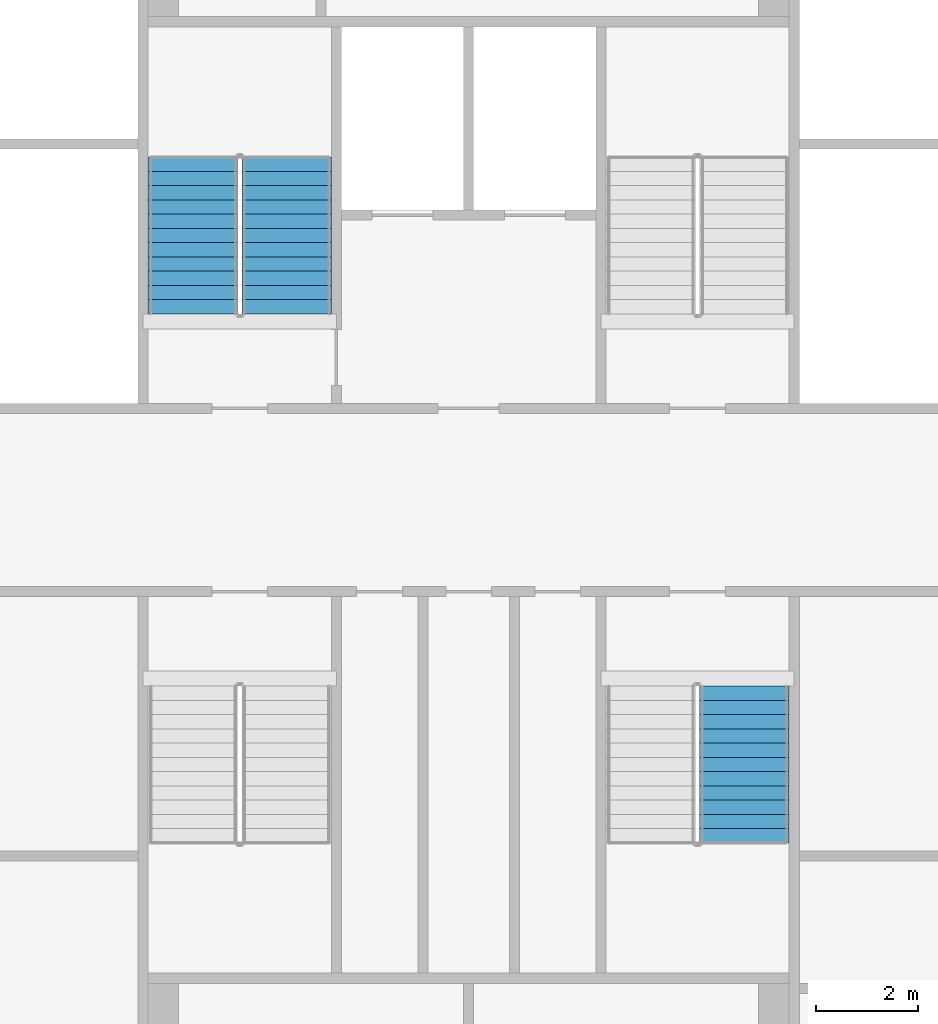
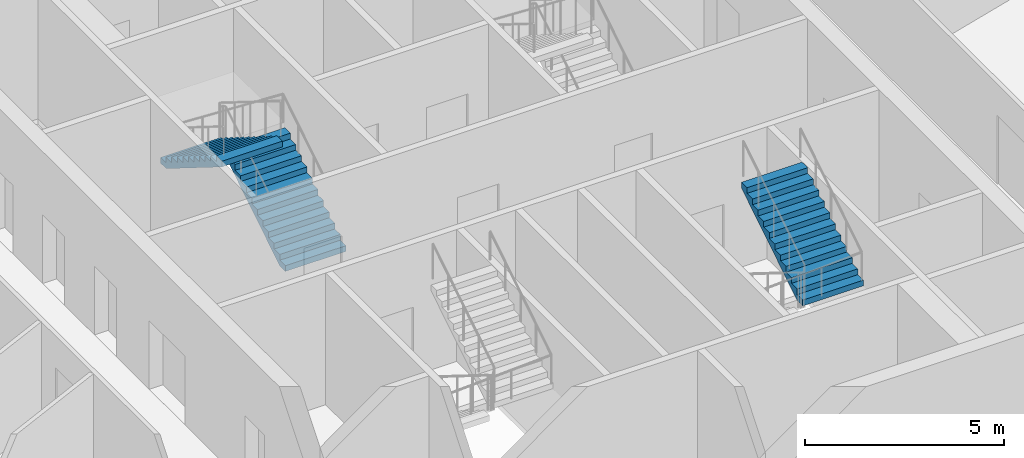
# One storey, part 22 of 28: 3 stair flights, 2 elements without a shape of their own.
"""IFC4 building model written with IfcOpenShell, lengths in metres."""

from ifc_helpers import new_model, si_unit, direction, frame, origin, place, context, subcontext, project, spatial, faceted_brep, material, type_object, element, aggregate, save


model = new_model("IFC4")

# Units and contexts
model_context = context("Model", 3, precision=1e-05, world=origin(), true_north=direction((0.0, 1.0)))
body_context = subcontext(model_context, "Body", "Model", "MODEL_VIEW")
ifc_project = project(units=[si_unit("LENGTHUNIT", "METRE"), si_unit("AREAUNIT", "SQUARE_METRE"), si_unit("VOLUMEUNIT", "CUBIC_METRE"), si_unit("PLANEANGLEUNIT", "RADIAN"), si_unit("MASSUNIT", "GRAM", prefix="KILO")], contexts=[model_context])

# Site, building, storey
site_placement = place(None, origin())
site = spatial("IfcSite", under=ifc_project, at=site_placement, CompositionType="ELEMENT")
building_placement = place(site_placement, origin())
building = spatial("IfcBuilding", under=site, at=building_placement, Name="Tarsis Ring Headquarters", CompositionType="ELEMENT")
storey_placement = place(building_placement, frame((0.0, 0.0, 381.800048828125)))
storey = spatial("IfcBuildingStorey", under=building, at=storey_placement, Name="L90", CompositionType="ELEMENT", Elevation=381.800048828125)

# Stair, stair flights
ifc_material_1 = material(Name="Core stair 1760")
stair_type = type_object("IfcStairType", Name="Core stair 1760", PredefinedType="HALF_TURN_STAIR", material=ifc_material_1)
stair_1_placement = place(storey_placement, origin())
stair_1 = element("IfcStair", 1, at=stair_1_placement, inside=storey, type_object=stair_type, Name="L90 Firefighting stair", PredefinedType="HALF_TURN_STAIR")
ifc_material_2 = material(Name="Concrete C40/50", Category="concrete")
stair_flight_type = type_object("IfcStairFlightType", Name="Core stair flight 1760", PredefinedType="STRAIGHT", material=ifc_material_2)
stair_flight_1_placement = place(storey_placement, frame((-3.580078125, 3.659912109375, 0.0), z_axis=(0.0, 0.0, 1.0), x_axis=(0.0, 1.0, 0.0)))
stair_flight_1 = element("IfcStairFlight", 2, at=stair_flight_1_placement, type_object=stair_flight_type, Name="Stair ST1 flight 1", NumberOfRisers=12, NumberOfTreads=11, PredefinedType="STRAIGHT", RiserHeight=0.175, TreadLength=0.28, context=body_context, shape_type="Brep", body=[
    faceted_brep([(0.0, 0.8798828125, 0.0), (0.0, 0.8798828125, 0.175048828125), (0.280029296875, 0.8798828125, 0.175048828125), (0.280029296875, 0.8798828125, 0.35009765625), (0.56005859375, 0.8798828125, 0.35009765625), (0.56005859375, 0.8798828125, 0.52490234375), (0.840087890625, 0.8798828125, 0.52490234375), (0.840087890625, 0.8798828125, 0.699951171875), (1.1201171875, 0.8798828125, 0.699951171875), (1.1201171875, 0.8798828125, 0.875), (1.39990234375, 0.8798828125, 0.875), (1.39990234375, 0.8798828125, 1.050048828125), (1.679931640625, 0.8798828125, 1.050048828125), (1.679931640625, 0.8798828125, 1.22509765625), (1.9599609375, 0.8798828125, 1.22509765625), (1.9599609375, 0.8798828125, 1.39990234375), (2.239990234375, 0.8798828125, 1.39990234375), (2.239990234375, 0.8798828125, 1.574951171875), (2.52001953125, 0.8798828125, 1.574951171875), (2.52001953125, 0.8798828125, 1.75), (2.800048828125, 0.8798828125, 1.75), (2.800048828125, 0.8798828125, 1.925048828125), (3.080078125, 0.8798828125, 1.925048828125), (3.080078125, 0.8798828125, 1.748291015625), (0.28271484375, 0.8798828125, 0.0), (0.28271484375, -0.8798828125, 0.0), (3.080078125, -0.8798828125, 1.748291015625), (3.080078125, -0.8798828125, 1.925048828125), (2.800048828125, -0.8798828125, 1.925048828125), (2.800048828125, -0.8798828125, 1.75), (2.52001953125, -0.8798828125, 1.75), (2.52001953125, -0.8798828125, 1.574951171875), (2.239990234375, -0.8798828125, 1.574951171875), (2.239990234375, -0.8798828125, 1.39990234375), (1.9599609375, -0.8798828125, 1.39990234375), (1.9599609375, -0.8798828125, 1.22509765625), (1.679931640625, -0.8798828125, 1.22509765625), (1.679931640625, -0.8798828125, 1.050048828125), (1.39990234375, -0.8798828125, 1.050048828125), (1.39990234375, -0.8798828125, 0.875), (1.1201171875, -0.8798828125, 0.875), (1.1201171875, -0.8798828125, 0.699951171875), (0.840087890625, -0.8798828125, 0.699951171875), (0.840087890625, -0.8798828125, 0.52490234375), (0.56005859375, -0.8798828125, 0.52490234375), (0.56005859375, -0.8798828125, 0.35009765625), (0.280029296875, -0.8798828125, 0.35009765625), (0.280029296875, -0.8798828125, 0.175048828125), (0.0, -0.8798828125, 0.175048828125), (0.0, -0.8798828125, 0.0), (0.0, -0.43994140625, 0.175048828125), (0.0, -0.43994140625, 0.0), (0.0, 0.0, 0.175048828125), (0.0, 0.0, 0.0), (0.0, 0.43994140625, 0.175048828125), (0.0, 0.43994140625, 0.0), (0.280029296875, -0.43994140625, 0.175048828125), (0.280029296875, 0.0, 0.175048828125), (0.280029296875, 0.43994140625, 0.175048828125), (0.280029296875, -0.43994140625, 0.35009765625), (0.280029296875, 0.0, 0.35009765625), (0.280029296875, 0.43994140625, 0.35009765625), (0.56005859375, -0.43994140625, 0.35009765625), (0.56005859375, 0.0, 0.35009765625), (0.56005859375, 0.43994140625, 0.35009765625), (0.56005859375, -0.43994140625, 0.52490234375), (0.56005859375, 0.0, 0.52490234375), (0.56005859375, 0.43994140625, 0.52490234375), (0.840087890625, -0.43994140625, 0.52490234375), (0.840087890625, 0.0, 0.52490234375), (0.840087890625, 0.43994140625, 0.52490234375), (0.840087890625, -0.43994140625, 0.699951171875), (0.840087890625, 0.0, 0.699951171875), (0.840087890625, 0.43994140625, 0.699951171875), (1.1201171875, -0.43994140625, 0.699951171875), (1.1201171875, 0.0, 0.699951171875), (1.1201171875, 0.43994140625, 0.699951171875), (1.1201171875, -0.43994140625, 0.875), (1.1201171875, 0.0, 0.875), (1.1201171875, 0.43994140625, 0.875), (1.39990234375, -0.43994140625, 0.875), (1.39990234375, 0.0, 0.875), (1.39990234375, 0.43994140625, 0.875), (1.39990234375, -0.43994140625, 1.050048828125), (1.39990234375, 0.0, 1.050048828125), (1.39990234375, 0.43994140625, 1.050048828125), (1.679931640625, -0.43994140625, 1.050048828125), (1.679931640625, 0.0, 1.050048828125), (1.679931640625, 0.43994140625, 1.050048828125), (1.679931640625, -0.43994140625, 1.22509765625), (1.679931640625, 0.0, 1.22509765625), (1.679931640625, 0.43994140625, 1.22509765625), (1.9599609375, -0.43994140625, 1.22509765625), (1.9599609375, 0.0, 1.22509765625), (1.9599609375, 0.43994140625, 1.22509765625), (1.9599609375, -0.43994140625, 1.39990234375), (1.9599609375, 0.0, 1.39990234375), (1.9599609375, 0.43994140625, 1.39990234375), (2.239990234375, -0.43994140625, 1.39990234375), (2.239990234375, 0.0, 1.39990234375), (2.239990234375, 0.43994140625, 1.39990234375), (2.239990234375, -0.43994140625, 1.574951171875), (2.239990234375, 0.0, 1.574951171875), (2.239990234375, 0.43994140625, 1.574951171875), (2.52001953125, -0.43994140625, 1.574951171875), (2.52001953125, 0.0, 1.574951171875), (2.52001953125, 0.43994140625, 1.574951171875), (2.52001953125, -0.43994140625, 1.75), (2.52001953125, 0.0, 1.75), (2.52001953125, 0.43994140625, 1.75), (2.800048828125, -0.43994140625, 1.75), (2.800048828125, 0.0, 1.75), (2.800048828125, 0.43994140625, 1.75), (2.800048828125, -0.43994140625, 1.925048828125), (2.800048828125, 0.0, 1.925048828125), (2.800048828125, 0.43994140625, 1.925048828125), (3.080078125, -0.43994140625, 1.925048828125), (3.080078125, 0.0, 1.925048828125), (3.080078125, 0.43994140625, 1.925048828125), (3.080078125, -0.43994140625, 1.748291015625), (3.080078125, 0.0, 1.748291015625), (3.080078125, 0.43994140625, 1.748291015625), (0.28271484375, -0.43994140625, 0.0), (0.28271484375, 0.0, 0.0), (0.28271484375, 0.43994140625, 0.0)], [[[0, 1, 2, 3, 4, 5, 6, 7, 8, 9, 10, 11, 12, 13, 14, 15, 16, 17, 18, 19, 20, 21, 22, 23, 24]], [[25, 26, 27, 28, 29, 30, 31, 32, 33, 34, 35, 36, 37, 38, 39, 40, 41, 42, 43, 44, 45, 46, 47, 48, 49]], [[49, 48, 50, 51]], [[51, 50, 52, 53]], [[53, 52, 54, 55]], [[55, 54, 1, 0]], [[48, 47, 56, 50]], [[50, 56, 57, 52]], [[52, 57, 58, 54]], [[54, 58, 2, 1]], [[47, 46, 59, 56]], [[56, 59, 60, 57]], [[57, 60, 61, 58]], [[58, 61, 3, 2]], [[46, 45, 62, 59]], [[59, 62, 63, 60]], [[60, 63, 64, 61]], [[61, 64, 4, 3]], [[45, 44, 65, 62]], [[62, 65, 66, 63]], [[63, 66, 67, 64]], [[64, 67, 5, 4]], [[44, 43, 68, 65]], [[65, 68, 69, 66]], [[66, 69, 70, 67]], [[67, 70, 6, 5]], [[43, 42, 71, 68]], [[68, 71, 72, 69]], [[69, 72, 73, 70]], [[70, 73, 7, 6]], [[42, 41, 74, 71]], [[71, 74, 75, 72]], [[72, 75, 76, 73]], [[73, 76, 8, 7]], [[41, 40, 77, 74]], [[74, 77, 78, 75]], [[75, 78, 79, 76]], [[76, 79, 9, 8]], [[40, 39, 80, 77]], [[77, 80, 81, 78]], [[78, 81, 82, 79]], [[79, 82, 10, 9]], [[39, 38, 83, 80]], [[80, 83, 84, 81]], [[81, 84, 85, 82]], [[82, 85, 11, 10]], [[38, 37, 86, 83]], [[83, 86, 87, 84]], [[84, 87, 88, 85]], [[85, 88, 12, 11]], [[37, 36, 89, 86]], [[86, 89, 90, 87]], [[87, 90, 91, 88]], [[88, 91, 13, 12]], [[36, 35, 92, 89]], [[89, 92, 93, 90]], [[90, 93, 94, 91]], [[91, 94, 14, 13]], [[35, 34, 95, 92]], [[92, 95, 96, 93]], [[93, 96, 97, 94]], [[94, 97, 15, 14]], [[34, 33, 98, 95]], [[95, 98, 99, 96]], [[96, 99, 100, 97]], [[97, 100, 16, 15]], [[33, 32, 101, 98]], [[98, 101, 102, 99]], [[99, 102, 103, 100]], [[100, 103, 17, 16]], [[32, 31, 104, 101]], [[101, 104, 105, 102]], [[102, 105, 106, 103]], [[103, 106, 18, 17]], [[31, 30, 107, 104]], [[104, 107, 108, 105]], [[105, 108, 109, 106]], [[106, 109, 19, 18]], [[30, 29, 110, 107]], [[107, 110, 111, 108]], [[108, 111, 112, 109]], [[109, 112, 20, 19]], [[29, 28, 113, 110]], [[110, 113, 114, 111]], [[111, 114, 115, 112]], [[112, 115, 21, 20]], [[28, 27, 116, 113]], [[113, 116, 117, 114]], [[114, 117, 118, 115]], [[115, 118, 22, 21]], [[27, 26, 119, 116]], [[116, 119, 120, 117]], [[117, 120, 121, 118]], [[118, 121, 23, 22]], [[26, 25, 122, 119]], [[119, 122, 123, 120]], [[120, 123, 124, 121]], [[121, 124, 24, 23]], [[25, 49, 51, 122]], [[122, 51, 53, 123]], [[123, 53, 55, 124]], [[124, 55, 0, 24]]]),
])
stair_flight_2_placement = place(storey_placement, frame((-5.419921875, 6.739990234375, 2.099853515625), z_axis=(0.0, 0.0, 1.0), x_axis=(0.0, -1.0, 0.0)))
stair_flight_2 = element("IfcStairFlight", 3, at=stair_flight_2_placement, type_object=stair_flight_type, Name="Stair ST1 flight 2", NumberOfRisers=12, NumberOfTreads=11, PredefinedType="STRAIGHT", RiserHeight=0.175, TreadLength=0.28, context=body_context, shape_type="Brep", body=[
    faceted_brep([(0.0, 0.8798828125, 0.0), (0.0, 0.8798828125, 0.175048828125), (0.280029296875, 0.8798828125, 0.175048828125), (0.280029296875, 0.8798828125, 0.35009765625), (0.56005859375, 0.8798828125, 0.35009765625), (0.56005859375, 0.8798828125, 0.52490234375), (0.840087890625, 0.8798828125, 0.52490234375), (0.840087890625, 0.8798828125, 0.699951171875), (1.1201171875, 0.8798828125, 0.699951171875), (1.1201171875, 0.8798828125, 0.875), (1.39990234375, 0.8798828125, 0.875), (1.39990234375, 0.8798828125, 1.050048828125), (1.679931640625, 0.8798828125, 1.050048828125), (1.679931640625, 0.8798828125, 1.22509765625), (1.9599609375, 0.8798828125, 1.22509765625), (1.9599609375, 0.8798828125, 1.39990234375), (2.239990234375, 0.8798828125, 1.39990234375), (2.239990234375, 0.8798828125, 1.574951171875), (2.52001953125, 0.8798828125, 1.574951171875), (2.52001953125, 0.8798828125, 1.75), (2.800048828125, 0.8798828125, 1.75), (2.800048828125, 0.8798828125, 1.925048828125), (3.080078125, 0.8798828125, 1.925048828125), (3.080078125, 0.8798828125, 1.748291015625), (0.28271484375, 0.8798828125, 0.0), (0.28271484375, -0.8798828125, 0.0), (3.080078125, -0.8798828125, 1.748291015625), (3.080078125, -0.8798828125, 1.925048828125), (2.800048828125, -0.8798828125, 1.925048828125), (2.800048828125, -0.8798828125, 1.75), (2.52001953125, -0.8798828125, 1.75), (2.52001953125, -0.8798828125, 1.574951171875), (2.239990234375, -0.8798828125, 1.574951171875), (2.239990234375, -0.8798828125, 1.39990234375), (1.9599609375, -0.8798828125, 1.39990234375), (1.9599609375, -0.8798828125, 1.22509765625), (1.679931640625, -0.8798828125, 1.22509765625), (1.679931640625, -0.8798828125, 1.050048828125), (1.39990234375, -0.8798828125, 1.050048828125), (1.39990234375, -0.8798828125, 0.875), (1.1201171875, -0.8798828125, 0.875), (1.1201171875, -0.8798828125, 0.699951171875), (0.840087890625, -0.8798828125, 0.699951171875), (0.840087890625, -0.8798828125, 0.52490234375), (0.56005859375, -0.8798828125, 0.52490234375), (0.56005859375, -0.8798828125, 0.35009765625), (0.280029296875, -0.8798828125, 0.35009765625), (0.280029296875, -0.8798828125, 0.175048828125), (0.0, -0.8798828125, 0.175048828125), (0.0, -0.8798828125, 0.0), (0.0, -0.43994140625, 0.175048828125), (0.0, -0.43994140625, 0.0), (0.0, 0.0, 0.175048828125), (0.0, 0.0, 0.0), (0.0, 0.43994140625, 0.175048828125), (0.0, 0.43994140625, 0.0), (0.280029296875, -0.43994140625, 0.175048828125), (0.280029296875, 0.0, 0.175048828125), (0.280029296875, 0.43994140625, 0.175048828125), (0.280029296875, -0.43994140625, 0.35009765625), (0.280029296875, 0.0, 0.35009765625), (0.280029296875, 0.43994140625, 0.35009765625), (0.56005859375, -0.43994140625, 0.35009765625), (0.56005859375, 0.0, 0.35009765625), (0.56005859375, 0.43994140625, 0.35009765625), (0.56005859375, -0.43994140625, 0.52490234375), (0.56005859375, 0.0, 0.52490234375), (0.56005859375, 0.43994140625, 0.52490234375), (0.840087890625, -0.43994140625, 0.52490234375), (0.840087890625, 0.0, 0.52490234375), (0.840087890625, 0.43994140625, 0.52490234375), (0.840087890625, -0.43994140625, 0.699951171875), (0.840087890625, 0.0, 0.699951171875), (0.840087890625, 0.43994140625, 0.699951171875), (1.1201171875, -0.43994140625, 0.699951171875), (1.1201171875, 0.0, 0.699951171875), (1.1201171875, 0.43994140625, 0.699951171875), (1.1201171875, -0.43994140625, 0.875), (1.1201171875, 0.0, 0.875), (1.1201171875, 0.43994140625, 0.875), (1.39990234375, -0.43994140625, 0.875), (1.39990234375, 0.0, 0.875), (1.39990234375, 0.43994140625, 0.875), (1.39990234375, -0.43994140625, 1.050048828125), (1.39990234375, 0.0, 1.050048828125), (1.39990234375, 0.43994140625, 1.050048828125), (1.679931640625, -0.43994140625, 1.050048828125), (1.679931640625, 0.0, 1.050048828125), (1.679931640625, 0.43994140625, 1.050048828125), (1.679931640625, -0.43994140625, 1.22509765625), (1.679931640625, 0.0, 1.22509765625), (1.679931640625, 0.43994140625, 1.22509765625), (1.9599609375, -0.43994140625, 1.22509765625), (1.9599609375, 0.0, 1.22509765625), (1.9599609375, 0.43994140625, 1.22509765625), (1.9599609375, -0.43994140625, 1.39990234375), (1.9599609375, 0.0, 1.39990234375), (1.9599609375, 0.43994140625, 1.39990234375), (2.239990234375, -0.43994140625, 1.39990234375), (2.239990234375, 0.0, 1.39990234375), (2.239990234375, 0.43994140625, 1.39990234375), (2.239990234375, -0.43994140625, 1.574951171875), (2.239990234375, 0.0, 1.574951171875), (2.239990234375, 0.43994140625, 1.574951171875), (2.52001953125, -0.43994140625, 1.574951171875), (2.52001953125, 0.0, 1.574951171875), (2.52001953125, 0.43994140625, 1.574951171875), (2.52001953125, -0.43994140625, 1.75), (2.52001953125, 0.0, 1.75), (2.52001953125, 0.43994140625, 1.75), (2.800048828125, -0.43994140625, 1.75), (2.800048828125, 0.0, 1.75), (2.800048828125, 0.43994140625, 1.75), (2.800048828125, -0.43994140625, 1.925048828125), (2.800048828125, 0.0, 1.925048828125), (2.800048828125, 0.43994140625, 1.925048828125), (3.080078125, -0.43994140625, 1.925048828125), (3.080078125, 0.0, 1.925048828125), (3.080078125, 0.43994140625, 1.925048828125), (3.080078125, -0.43994140625, 1.748291015625), (3.080078125, 0.0, 1.748291015625), (3.080078125, 0.43994140625, 1.748291015625), (0.28271484375, -0.43994140625, 0.0), (0.28271484375, 0.0, 0.0), (0.28271484375, 0.43994140625, 0.0)], [[[0, 1, 2, 3, 4, 5, 6, 7, 8, 9, 10, 11, 12, 13, 14, 15, 16, 17, 18, 19, 20, 21, 22, 23, 24]], [[25, 26, 27, 28, 29, 30, 31, 32, 33, 34, 35, 36, 37, 38, 39, 40, 41, 42, 43, 44, 45, 46, 47, 48, 49]], [[49, 48, 50, 51]], [[51, 50, 52, 53]], [[53, 52, 54, 55]], [[55, 54, 1, 0]], [[48, 47, 56, 50]], [[50, 56, 57, 52]], [[52, 57, 58, 54]], [[54, 58, 2, 1]], [[47, 46, 59, 56]], [[56, 59, 60, 57]], [[57, 60, 61, 58]], [[58, 61, 3, 2]], [[46, 45, 62, 59]], [[59, 62, 63, 60]], [[60, 63, 64, 61]], [[61, 64, 4, 3]], [[45, 44, 65, 62]], [[62, 65, 66, 63]], [[63, 66, 67, 64]], [[64, 67, 5, 4]], [[44, 43, 68, 65]], [[65, 68, 69, 66]], [[66, 69, 70, 67]], [[67, 70, 6, 5]], [[43, 42, 71, 68]], [[68, 71, 72, 69]], [[69, 72, 73, 70]], [[70, 73, 7, 6]], [[42, 41, 74, 71]], [[71, 74, 75, 72]], [[72, 75, 76, 73]], [[73, 76, 8, 7]], [[41, 40, 77, 74]], [[74, 77, 78, 75]], [[75, 78, 79, 76]], [[76, 79, 9, 8]], [[40, 39, 80, 77]], [[77, 80, 81, 78]], [[78, 81, 82, 79]], [[79, 82, 10, 9]], [[39, 38, 83, 80]], [[80, 83, 84, 81]], [[81, 84, 85, 82]], [[82, 85, 11, 10]], [[38, 37, 86, 83]], [[83, 86, 87, 84]], [[84, 87, 88, 85]], [[85, 88, 12, 11]], [[37, 36, 89, 86]], [[86, 89, 90, 87]], [[87, 90, 91, 88]], [[88, 91, 13, 12]], [[36, 35, 92, 89]], [[89, 92, 93, 90]], [[90, 93, 94, 91]], [[91, 94, 14, 13]], [[35, 34, 95, 92]], [[92, 95, 96, 93]], [[93, 96, 97, 94]], [[94, 97, 15, 14]], [[34, 33, 98, 95]], [[95, 98, 99, 96]], [[96, 99, 100, 97]], [[97, 100, 16, 15]], [[33, 32, 101, 98]], [[98, 101, 102, 99]], [[99, 102, 103, 100]], [[100, 103, 17, 16]], [[32, 31, 104, 101]], [[101, 104, 105, 102]], [[102, 105, 106, 103]], [[103, 106, 18, 17]], [[31, 30, 107, 104]], [[104, 107, 108, 105]], [[105, 108, 109, 106]], [[106, 109, 19, 18]], [[30, 29, 110, 107]], [[107, 110, 111, 108]], [[108, 111, 112, 109]], [[109, 112, 20, 19]], [[29, 28, 113, 110]], [[110, 113, 114, 111]], [[111, 114, 115, 112]], [[112, 115, 21, 20]], [[28, 27, 116, 113]], [[113, 116, 117, 114]], [[114, 117, 118, 115]], [[115, 118, 22, 21]], [[27, 26, 119, 116]], [[116, 119, 120, 117]], [[117, 120, 121, 118]], [[118, 121, 23, 22]], [[26, 25, 122, 119]], [[119, 122, 123, 120]], [[120, 123, 124, 121]], [[121, 124, 24, 23]], [[25, 49, 51, 122]], [[122, 51, 53, 123]], [[123, 53, 55, 124]], [[124, 55, 0, 24]]]),
])
aggregate(stair_1, [stair_flight_1, stair_flight_2])

# Stair, stair flight
stair_2_placement = place(storey_placement, origin())
stair_2 = element("IfcStair", 4, at=stair_2_placement, inside=storey, type_object=stair_type, Name="L90 Exit stair D", PredefinedType="HALF_TURN_STAIR")
stair_flight_3_placement = place(storey_placement, frame((5.419921875, -6.739990234375, 2.099853515625), z_axis=(0.0, 0.0, 1.0), x_axis=(0.0, 1.0, 0.0)))
stair_flight_3 = element("IfcStairFlight", 5, at=stair_flight_3_placement, type_object=stair_flight_type, Name="Stair ST4 flight 2", NumberOfRisers=12, NumberOfTreads=11, PredefinedType="STRAIGHT", RiserHeight=0.175, TreadLength=0.28, context=body_context, shape_type="Brep", body=[
    faceted_brep([(0.0, 0.8798828125, 0.0), (0.0, 0.8798828125, 0.175048828125), (0.280029296875, 0.8798828125, 0.175048828125), (0.280029296875, 0.8798828125, 0.35009765625), (0.56005859375, 0.8798828125, 0.35009765625), (0.56005859375, 0.8798828125, 0.52490234375), (0.840087890625, 0.8798828125, 0.52490234375), (0.840087890625, 0.8798828125, 0.699951171875), (1.1201171875, 0.8798828125, 0.699951171875), (1.1201171875, 0.8798828125, 0.875), (1.39990234375, 0.8798828125, 0.875), (1.39990234375, 0.8798828125, 1.050048828125), (1.679931640625, 0.8798828125, 1.050048828125), (1.679931640625, 0.8798828125, 1.22509765625), (1.9599609375, 0.8798828125, 1.22509765625), (1.9599609375, 0.8798828125, 1.39990234375), (2.239990234375, 0.8798828125, 1.39990234375), (2.239990234375, 0.8798828125, 1.574951171875), (2.52001953125, 0.8798828125, 1.574951171875), (2.52001953125, 0.8798828125, 1.75), (2.800048828125, 0.8798828125, 1.75), (2.800048828125, 0.8798828125, 1.925048828125), (3.080078125, 0.8798828125, 1.925048828125), (3.080078125, 0.8798828125, 1.748291015625), (0.28271484375, 0.8798828125, 0.0), (0.28271484375, -0.8798828125, 0.0), (3.080078125, -0.8798828125, 1.748291015625), (3.080078125, -0.8798828125, 1.925048828125), (2.800048828125, -0.8798828125, 1.925048828125), (2.800048828125, -0.8798828125, 1.75), (2.52001953125, -0.8798828125, 1.75), (2.52001953125, -0.8798828125, 1.574951171875), (2.239990234375, -0.8798828125, 1.574951171875), (2.239990234375, -0.8798828125, 1.39990234375), (1.9599609375, -0.8798828125, 1.39990234375), (1.9599609375, -0.8798828125, 1.22509765625), (1.679931640625, -0.8798828125, 1.22509765625), (1.679931640625, -0.8798828125, 1.050048828125), (1.39990234375, -0.8798828125, 1.050048828125), (1.39990234375, -0.8798828125, 0.875), (1.1201171875, -0.8798828125, 0.875), (1.1201171875, -0.8798828125, 0.699951171875), (0.840087890625, -0.8798828125, 0.699951171875), (0.840087890625, -0.8798828125, 0.52490234375), (0.56005859375, -0.8798828125, 0.52490234375), (0.56005859375, -0.8798828125, 0.35009765625), (0.280029296875, -0.8798828125, 0.35009765625), (0.280029296875, -0.8798828125, 0.175048828125), (0.0, -0.8798828125, 0.175048828125), (0.0, -0.8798828125, 0.0), (0.0, -0.43994140625, 0.175048828125), (0.0, -0.43994140625, 0.0), (0.0, 0.0, 0.175048828125), (0.0, 0.0, 0.0), (0.0, 0.43994140625, 0.175048828125), (0.0, 0.43994140625, 0.0), (0.280029296875, -0.43994140625, 0.175048828125), (0.280029296875, 0.0, 0.175048828125), (0.280029296875, 0.43994140625, 0.175048828125), (0.280029296875, -0.43994140625, 0.35009765625), (0.280029296875, 0.0, 0.35009765625), (0.280029296875, 0.43994140625, 0.35009765625), (0.56005859375, -0.43994140625, 0.35009765625), (0.56005859375, 0.0, 0.35009765625), (0.56005859375, 0.43994140625, 0.35009765625), (0.56005859375, -0.43994140625, 0.52490234375), (0.56005859375, 0.0, 0.52490234375), (0.56005859375, 0.43994140625, 0.52490234375), (0.840087890625, -0.43994140625, 0.52490234375), (0.840087890625, 0.0, 0.52490234375), (0.840087890625, 0.43994140625, 0.52490234375), (0.840087890625, -0.43994140625, 0.699951171875), (0.840087890625, 0.0, 0.699951171875), (0.840087890625, 0.43994140625, 0.699951171875), (1.1201171875, -0.43994140625, 0.699951171875), (1.1201171875, 0.0, 0.699951171875), (1.1201171875, 0.43994140625, 0.699951171875), (1.1201171875, -0.43994140625, 0.875), (1.1201171875, 0.0, 0.875), (1.1201171875, 0.43994140625, 0.875), (1.39990234375, -0.43994140625, 0.875), (1.39990234375, 0.0, 0.875), (1.39990234375, 0.43994140625, 0.875), (1.39990234375, -0.43994140625, 1.050048828125), (1.39990234375, 0.0, 1.050048828125), (1.39990234375, 0.43994140625, 1.050048828125), (1.679931640625, -0.43994140625, 1.050048828125), (1.679931640625, 0.0, 1.050048828125), (1.679931640625, 0.43994140625, 1.050048828125), (1.679931640625, -0.43994140625, 1.22509765625), (1.679931640625, 0.0, 1.22509765625), (1.679931640625, 0.43994140625, 1.22509765625), (1.9599609375, -0.43994140625, 1.22509765625), (1.9599609375, 0.0, 1.22509765625), (1.9599609375, 0.43994140625, 1.22509765625), (1.9599609375, -0.43994140625, 1.39990234375), (1.9599609375, 0.0, 1.39990234375), (1.9599609375, 0.43994140625, 1.39990234375), (2.239990234375, -0.43994140625, 1.39990234375), (2.239990234375, 0.0, 1.39990234375), (2.239990234375, 0.43994140625, 1.39990234375), (2.239990234375, -0.43994140625, 1.574951171875), (2.239990234375, 0.0, 1.574951171875), (2.239990234375, 0.43994140625, 1.574951171875), (2.52001953125, -0.43994140625, 1.574951171875), (2.52001953125, 0.0, 1.574951171875), (2.52001953125, 0.43994140625, 1.574951171875), (2.52001953125, -0.43994140625, 1.75), (2.52001953125, 0.0, 1.75), (2.52001953125, 0.43994140625, 1.75), (2.800048828125, -0.43994140625, 1.75), (2.800048828125, 0.0, 1.75), (2.800048828125, 0.43994140625, 1.75), (2.800048828125, -0.43994140625, 1.925048828125), (2.800048828125, 0.0, 1.925048828125), (2.800048828125, 0.43994140625, 1.925048828125), (3.080078125, -0.43994140625, 1.925048828125), (3.080078125, 0.0, 1.925048828125), (3.080078125, 0.43994140625, 1.925048828125), (3.080078125, -0.43994140625, 1.748291015625), (3.080078125, 0.0, 1.748291015625), (3.080078125, 0.43994140625, 1.748291015625), (0.28271484375, -0.43994140625, 0.0), (0.28271484375, 0.0, 0.0), (0.28271484375, 0.43994140625, 0.0)], [[[0, 1, 2, 3, 4, 5, 6, 7, 8, 9, 10, 11, 12, 13, 14, 15, 16, 17, 18, 19, 20, 21, 22, 23, 24]], [[25, 26, 27, 28, 29, 30, 31, 32, 33, 34, 35, 36, 37, 38, 39, 40, 41, 42, 43, 44, 45, 46, 47, 48, 49]], [[49, 48, 50, 51]], [[51, 50, 52, 53]], [[53, 52, 54, 55]], [[55, 54, 1, 0]], [[48, 47, 56, 50]], [[50, 56, 57, 52]], [[52, 57, 58, 54]], [[54, 58, 2, 1]], [[47, 46, 59, 56]], [[56, 59, 60, 57]], [[57, 60, 61, 58]], [[58, 61, 3, 2]], [[46, 45, 62, 59]], [[59, 62, 63, 60]], [[60, 63, 64, 61]], [[61, 64, 4, 3]], [[45, 44, 65, 62]], [[62, 65, 66, 63]], [[63, 66, 67, 64]], [[64, 67, 5, 4]], [[44, 43, 68, 65]], [[65, 68, 69, 66]], [[66, 69, 70, 67]], [[67, 70, 6, 5]], [[43, 42, 71, 68]], [[68, 71, 72, 69]], [[69, 72, 73, 70]], [[70, 73, 7, 6]], [[42, 41, 74, 71]], [[71, 74, 75, 72]], [[72, 75, 76, 73]], [[73, 76, 8, 7]], [[41, 40, 77, 74]], [[74, 77, 78, 75]], [[75, 78, 79, 76]], [[76, 79, 9, 8]], [[40, 39, 80, 77]], [[77, 80, 81, 78]], [[78, 81, 82, 79]], [[79, 82, 10, 9]], [[39, 38, 83, 80]], [[80, 83, 84, 81]], [[81, 84, 85, 82]], [[82, 85, 11, 10]], [[38, 37, 86, 83]], [[83, 86, 87, 84]], [[84, 87, 88, 85]], [[85, 88, 12, 11]], [[37, 36, 89, 86]], [[86, 89, 90, 87]], [[87, 90, 91, 88]], [[88, 91, 13, 12]], [[36, 35, 92, 89]], [[89, 92, 93, 90]], [[90, 93, 94, 91]], [[91, 94, 14, 13]], [[35, 34, 95, 92]], [[92, 95, 96, 93]], [[93, 96, 97, 94]], [[94, 97, 15, 14]], [[34, 33, 98, 95]], [[95, 98, 99, 96]], [[96, 99, 100, 97]], [[97, 100, 16, 15]], [[33, 32, 101, 98]], [[98, 101, 102, 99]], [[99, 102, 103, 100]], [[100, 103, 17, 16]], [[32, 31, 104, 101]], [[101, 104, 105, 102]], [[102, 105, 106, 103]], [[103, 106, 18, 17]], [[31, 30, 107, 104]], [[104, 107, 108, 105]], [[105, 108, 109, 106]], [[106, 109, 19, 18]], [[30, 29, 110, 107]], [[107, 110, 111, 108]], [[108, 111, 112, 109]], [[109, 112, 20, 19]], [[29, 28, 113, 110]], [[110, 113, 114, 111]], [[111, 114, 115, 112]], [[112, 115, 21, 20]], [[28, 27, 116, 113]], [[113, 116, 117, 114]], [[114, 117, 118, 115]], [[115, 118, 22, 21]], [[27, 26, 119, 116]], [[116, 119, 120, 117]], [[117, 120, 121, 118]], [[118, 121, 23, 22]], [[26, 25, 122, 119]], [[119, 122, 123, 120]], [[120, 123, 124, 121]], [[121, 124, 24, 23]], [[25, 49, 51, 122]], [[122, 51, 53, 123]], [[123, 53, 55, 124]], [[124, 55, 0, 24]]]),
])
aggregate(stair_2, [stair_flight_3])

save(model, "model.ifc")
